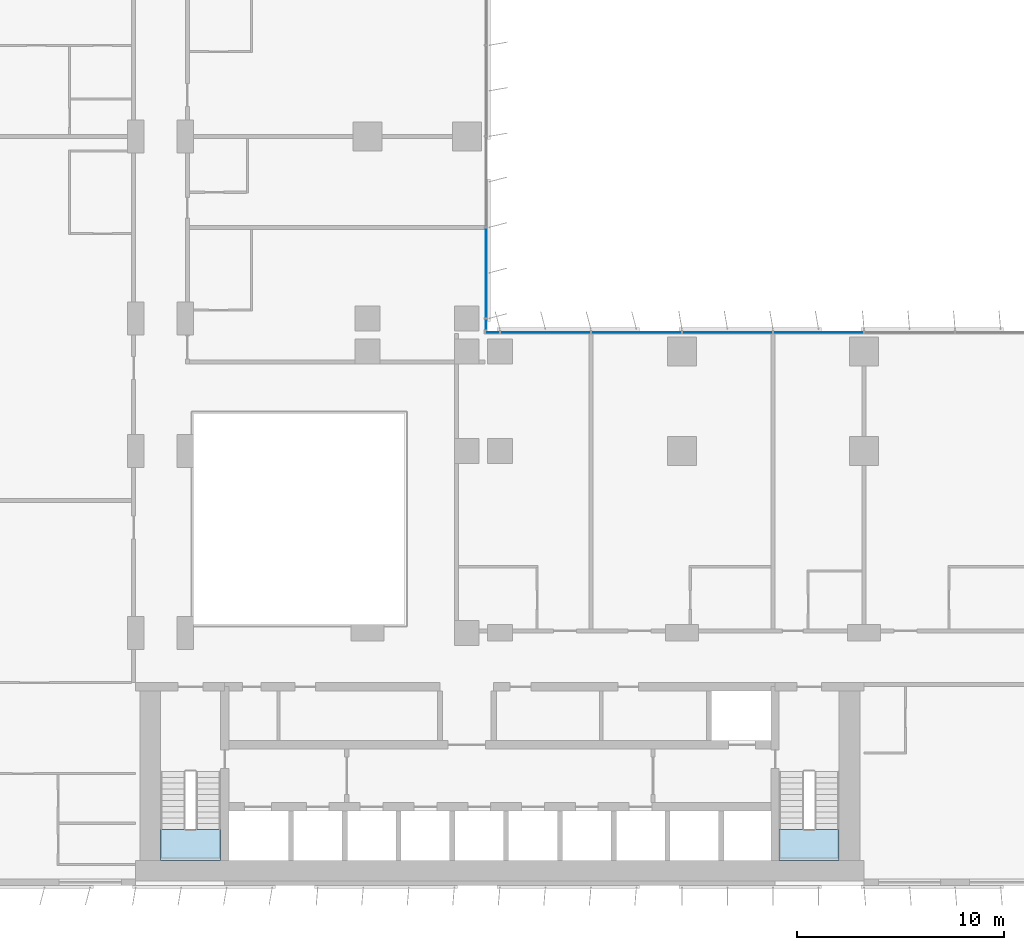
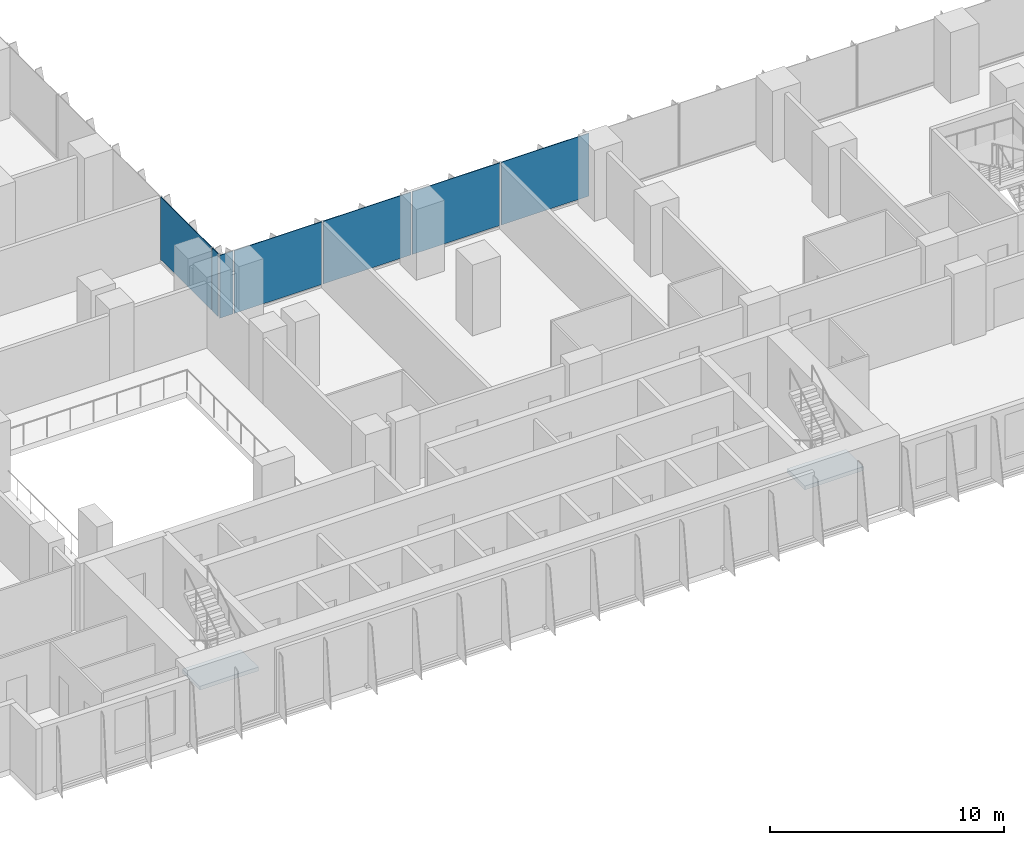
# One storey, part 10 of 24: 7 plates, 2 slabs, 4 elements without a shape of their own.
"""IFC4 building model written with IfcOpenShell, lengths in metres."""

from ifc_helpers import new_model, si_unit, direction, frame, origin, origin_2d, place, context, subcontext, project, spatial, polyline, rectangle, outline, extrude, source, transform, mapped, material, layer, layer_set, type_object, element, aggregate, save


model = new_model("IFC4")

# Units and contexts
model_context = context("Model", 3, precision=1e-05, world=origin(), true_north=direction((0.0, 1.0)))
body_context = subcontext(model_context, "Body", "Model", "MODEL_VIEW")
ifc_project = project(units=[si_unit("LENGTHUNIT", "METRE"), si_unit("AREAUNIT", "SQUARE_METRE"), si_unit("VOLUMEUNIT", "CUBIC_METRE"), si_unit("PLANEANGLEUNIT", "RADIAN"), si_unit("MASSUNIT", "GRAM", prefix="KILO")], contexts=[model_context])

# Site, building, storey
site_placement = place(None, origin())
site = spatial("IfcSite", under=ifc_project, at=site_placement, CompositionType="ELEMENT")
building_placement = place(site_placement, origin())
building = spatial("IfcBuilding", under=site, at=building_placement, Name="Kemantara Hotel Tower", CompositionType="ELEMENT")
storey_placement = place(building_placement, frame((0.0, 0.0, 76.0)))
storey = spatial("IfcBuildingStorey", under=building, at=storey_placement, Name="L17", CompositionType="ELEMENT", Elevation=76.0)

# Stair, slab
ifc_material_1 = material(Name="Concrete fc 40 MPa", Category="concrete")
stair_type = type_object("IfcStairType", Name="Stair 1200 wide 22 risers of 168 x 280 mm", PredefinedType="HALF_TURN_STAIR", material=ifc_material_1)
stair_1_placement = place(storey_placement, origin())
stair_1 = element("IfcStair", 1, at=stair_1_placement, inside=storey, type_object=stair_type, Name="L17 Exit stair ST1", PredefinedType="HALF_TURN_STAIR")
ifc_layer_1 = layer(ifc_material_1, 0.199951171875)
ifc_layer_set_1 = layer_set([ifc_layer_1], Name="Concrete fc 40 MPa")
slab_type = type_object("IfcSlabType", Name="Stair landing 200 mm", PredefinedType="LANDING", material=ifc_layer_set_1)
slab_1_placement = place(storey_placement, frame((0.0, 0.0, 1.64990234375)))
slab_1 = element("IfcSlab", 2, at=slab_1_placement, type_object=slab_type, Name="ST1 landing 1", PredefinedType="LANDING", context=body_context, shape_type="SweptSolid", body=[
    extrude(outline(polyline([(11.0, 2.699951171875), (11.0, 1.199951171875), (13.89990234375, 1.199951171875), (13.89990234375, 2.699951171875), (11.0, 2.699951171875)])), origin(), (0.0, 0.0, 1.0), 0.2001953125),
])
aggregate(stair_1, [slab_1])

stair_2_placement = place(storey_placement, origin())
stair_2 = element("IfcStair", 3, at=stair_2_placement, inside=storey, type_object=stair_type, Name="L17 Exit stair ST2", PredefinedType="HALF_TURN_STAIR")
slab_2_placement = place(storey_placement, frame((0.0, 0.0, 1.64990234375)))
slab_2 = element("IfcSlab", 4, at=slab_2_placement, type_object=slab_type, Name="ST2 landing 1", PredefinedType="LANDING", context=body_context, shape_type="SweptSolid", body=[
    extrude(outline(polyline([(40.89990234375, 2.699951171875), (40.89990234375, 1.199951171875), (43.800048828125, 1.199951171875), (43.800048828125, 2.699951171875), (40.89990234375, 2.699951171875)])), origin(), (0.0, 0.0, 1.0), 0.2001953125),
])
aggregate(stair_2, [slab_2])

# Curtain wall, plates
ifc_material_2 = material(Name="Low-E tinted double insulated glass 36 mm", Category="glass")
curtain_wall_type = type_object("IfcCurtainWallType", Name="TOWER CURTAIN WALL, FRONT FACES", PredefinedType="USERDEFINED", material=ifc_material_2)
curtain_wall_1_placement = place(storey_placement, origin())
curtain_wall_1 = element("IfcCurtainWall", 5, at=curtain_wall_1_placement, inside=storey, type_object=curtain_wall_type, Name="CW4 L17 T1-R07-1", ObjectType="TOWER CURTAIN WALL, FRONT FACES", PredefinedType="USERDEFINED")
ifc_layer_2 = layer(ifc_material_2, 0.035888671875)
ifc_layer_set_2 = layer_set([ifc_layer_2], Name="Low-E tinted double insulated glass 36 mm")
plate_type = type_object("IfcPlateType", Name="TOWER CURTAIN WALL, FRONT FACES PANEL", PredefinedType="CURTAIN_PANEL", material=ifc_layer_set_2)
shared_shape_1 = source(origin(), body_context, "Body", "SweptSolid", [
    extrude(rectangle(XDim=4.340087890625, YDim=0.035888671875, at=origin_2d()), origin(), (0.0, 0.0, 1.0), 3.280029296875),
])
plate_1_placement = place(storey_placement, frame((42.800048828125, 26.72509765625, 0.1201171875), z_axis=(0.0, 0.0, 1.0), x_axis=(-1.0, 0.0, 0.0)))
plate_1 = element("IfcPlate", 6, at=plate_1_placement, type_object=plate_type, Name="CW4 glass panel T1-R07-1.9", PredefinedType="CURTAIN_PANEL", context=body_context, shape_type="MappedRepresentation", body=[
    mapped(shared_shape_1, transform((0.0, 0.0, 0.0))),
])
plate_2_placement = place(storey_placement, frame((38.39990234375, 26.72509765625, 0.1201171875), z_axis=(0.0, 0.0, 1.0), x_axis=(-1.0, 0.0, 0.0)))
plate_2 = element("IfcPlate", 7, at=plate_2_placement, type_object=plate_type, Name="CW4 glass panel T1-R07-1.10", PredefinedType="CURTAIN_PANEL", context=body_context, shape_type="MappedRepresentation", body=[
    mapped(shared_shape_1, transform((0.0, 0.0, 0.0))),
])
plate_3_placement = place(storey_placement, frame((34.0, 26.72509765625, 0.1201171875), z_axis=(0.0, 0.0, 1.0), x_axis=(-1.0, 0.0, 0.0)))
plate_3 = element("IfcPlate", 8, at=plate_3_placement, type_object=plate_type, Name="CW4 glass panel T1-R07-1.11", PredefinedType="CURTAIN_PANEL", context=body_context, shape_type="MappedRepresentation", body=[
    mapped(shared_shape_1, transform((0.0, 0.0, 0.0))),
])
plate_4_placement = place(storey_placement, frame((29.60009765625, 26.72509765625, 0.1201171875), z_axis=(0.0, 0.0, 1.0), x_axis=(-1.0, 0.0, 0.0)))
plate_4 = element("IfcPlate", 9, at=plate_4_placement, type_object=plate_type, Name="CW4 glass panel T1-R07-1.12", PredefinedType="CURTAIN_PANEL", context=body_context, shape_type="MappedRepresentation", body=[
    mapped(shared_shape_1, transform((0.0, 0.0, 0.0))),
])

# Curtain wall, plate
curtain_wall_2_placement = place(storey_placement, origin())
curtain_wall_2 = element("IfcCurtainWall", 10, at=curtain_wall_2_placement, inside=storey, type_object=curtain_wall_type, Name="CW4 L17 T1-R08-1", ObjectType="TOWER CURTAIN WALL, FRONT FACES", PredefinedType="USERDEFINED")
plate_5_placement = place(storey_placement, frame((26.72509765625, 29.60009765625, 0.1201171875), z_axis=(0.0, 0.0, 1.0), x_axis=(0.0, 1.0, 0.0)))
plate_5 = element("IfcPlate", 11, at=plate_5_placement, type_object=plate_type, Name="CW4 glass panel T1-R08-1.2", PredefinedType="CURTAIN_PANEL", context=body_context, shape_type="MappedRepresentation", body=[
    mapped(shared_shape_1, transform((0.0, 0.0, 0.0))),
])

# Plate
shared_shape_2 = source(origin(), body_context, "Body", "SweptSolid", [
    extrude(rectangle(XDim=0.659912109375, YDim=0.035888671875, at=origin_2d()), origin(), (0.0, 0.0, 1.0), 3.280029296875),
])
plate_6_placement = place(storey_placement, frame((27.0400390625, 26.72509765625, 0.1201171875), z_axis=(0.0, 0.0, 1.0), x_axis=(-1.0, 0.0, 0.0)))
plate_6 = element("IfcPlate", 12, at=plate_6_placement, type_object=plate_type, Name="CW4 glass panel T1-R07-1.13", PredefinedType="CURTAIN_PANEL", context=body_context, shape_type="MappedRepresentation", body=[
    mapped(shared_shape_2, transform((0.0, 0.0, 0.0))),
])

aggregate(curtain_wall_1, [plate_1, plate_2, plate_3, plate_4, plate_6])

shared_shape_3 = source(origin(), body_context, "Body", "SweptSolid", [
    extrude(rectangle(XDim=0.510009765625, YDim=0.035888671875, at=origin_2d()), origin(), (0.0, 0.0, 1.0), 3.280029296875),
])
plate_7_placement = place(storey_placement, frame((26.72509765625, 27.114990234375, 0.1201171875), z_axis=(0.0, 0.0, 1.0), x_axis=(0.0, 1.0, 0.0)))
plate_7 = element("IfcPlate", 13, at=plate_7_placement, type_object=plate_type, Name="CW4 glass panel T1-R08-1.1", PredefinedType="CURTAIN_PANEL", context=body_context, shape_type="MappedRepresentation", body=[
    mapped(shared_shape_3, transform((0.0, 0.0, 0.0))),
])

aggregate(curtain_wall_2, [plate_7, plate_5])

save(model, "model.ifc")
